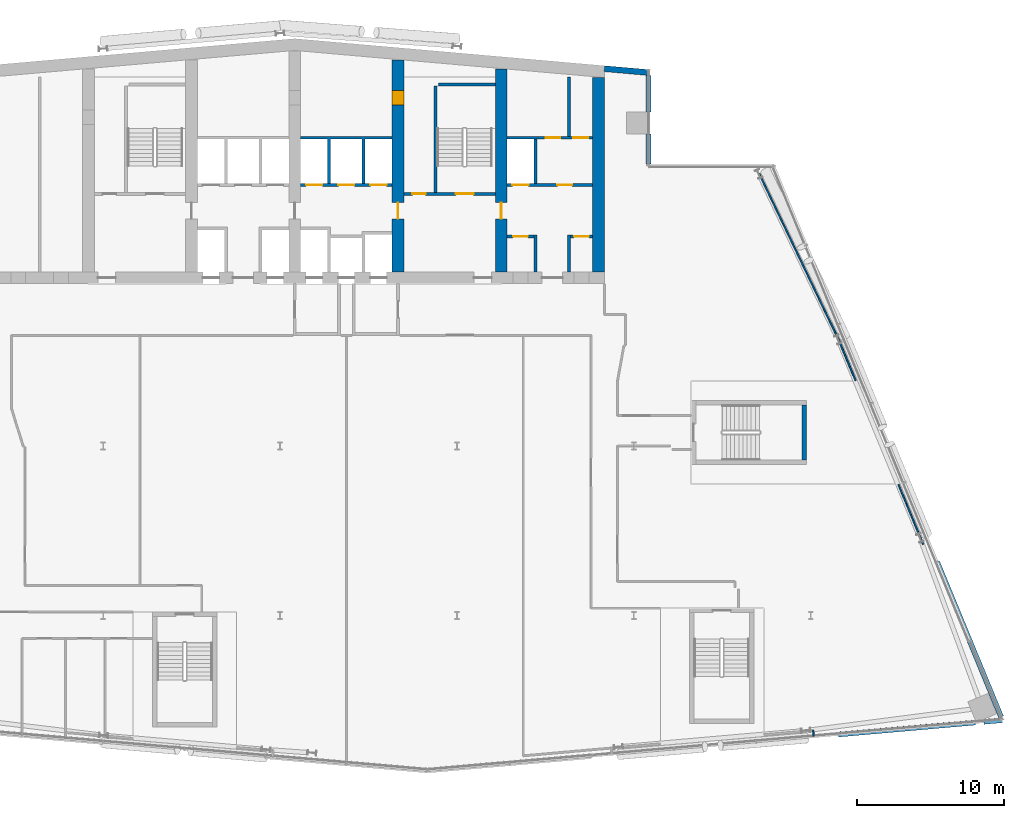
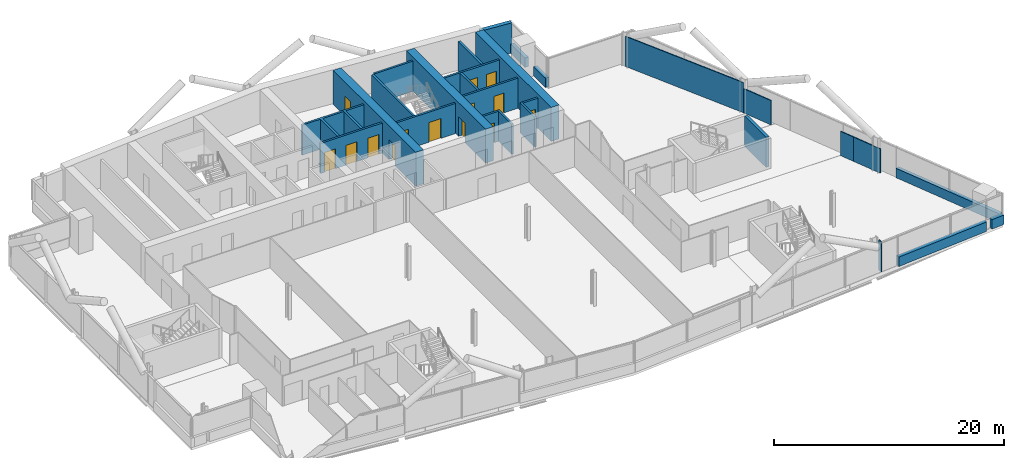
# One storey, part 19 of 26: 28 walls, 14 doors, 14 openings.
"""IFC4 building model written with IfcOpenShell, lengths in metres."""

import ifcopenshell
import ifcopenshell.guid

model = None  # the IFC model being written
_history = None  # IfcOwnerHistory: only IFC2X3 demands one
_inside = {}  # id of a spatial element -> (the spatial element, [elements in it])
_under = {}  # id of a project, library or spatial element -> (it, [spatial elements below it])
_declared = {}  # id of a project -> (the project, [libraries it declares])
_typed = {}  # id of a type object -> (the type object, [elements of that type])
_made_of = {}  # id of a material, layer set ... -> (it, [elements and type objects made of it])


def new_model(schema):
    """Start an empty IFC model of exactly this schema.

    Asked for "IFC4X3", IfcOpenShell would pick the latest addendum, in which some entities
    have other attributes; the version numbers below select the first issue.
    IFC2X3 requires an IfcOwnerHistory on every rooted entity: one is made here for all.
    """
    global model, _history
    if schema == "IFC4X3":
        model = ifcopenshell.file(schema_version=(4, 3, 0, 0))
    else:
        model = ifcopenshell.file(schema=schema)
    _inside.clear()
    _under.clear()
    _declared.clear()
    _typed.clear()
    _made_of.clear()
    _history = None
    if model.schema == "IFC2X3":
        org = make("IfcOrganization", Name="unknown")
        user = make(
            "IfcPersonAndOrganization",
            ThePerson=make("IfcPerson", FamilyName="unknown"),
            TheOrganization=org,
        )
        app = make(
            "IfcApplication",
            ApplicationDeveloper=org,
            Version="unknown",
            ApplicationFullName="unknown",
            ApplicationIdentifier="unknown",
        )
        _history = make(
            "IfcOwnerHistory",
            OwningUser=user,
            OwningApplication=app,
            ChangeAction="ADDED",
            CreationDate=0,
        )
    return model


def make(cls, **values):
    """One entity of the class cls with the attributes given. An attribute that is None is left unset."""
    return model.create_entity(
        cls, **{name: value for name, value in values.items() if value is not None}
    )


def rooted(cls, **values):
    """An entity with a GlobalId (a new one), such as an element, a storey or a relation."""
    return make(cls, GlobalId=ifcopenshell.guid.new(), OwnerHistory=_history, **values)


def si_unit(unit_type, name, prefix=None):
    """IfcSIUnit, for example si_unit("LENGTHUNIT", "METRE", prefix="MILLI")."""
    return make("IfcSIUnit", UnitType=unit_type, Prefix=prefix, Name=name)


def assignment(units):
    """IfcUnitAssignment: the units of a project."""
    return None if units is None else make("IfcUnitAssignment", Units=units)


def point(xyz):
    """IfcCartesianPoint."""
    return None if xyz is None else make("IfcCartesianPoint", Coordinates=xyz)


def direction(xyz):
    """IfcDirection."""
    return None if xyz is None else make("IfcDirection", DirectionRatios=xyz)


def frame(location, z_axis=None, x_axis=None):
    """IfcAxis2Placement3D, a coordinate frame: its origin and axes. An axis left out is left unset."""
    return make(
        "IfcAxis2Placement3D",
        Location=point(location),
        Axis=direction(z_axis),
        RefDirection=direction(x_axis),
    )


def frame_2d(location, x_axis=None):
    """IfcAxis2Placement2D, a coordinate frame in the plane: its origin and x axis."""
    return make(
        "IfcAxis2Placement2D", Location=point(location), RefDirection=direction(x_axis)
    )


def origin():
    """The frame at (0, 0, 0) with its axes left unset."""
    return frame((0.0, 0.0, 0.0))


def place(relative_to, where):
    """IfcLocalPlacement: puts the frame where relative to a parent placement (None: the world)."""
    return make(
        "IfcLocalPlacement", PlacementRelTo=relative_to, RelativePlacement=where
    )


def context(
    kind, dimensions, precision=None, world=None, true_north=None, identifier=None
):
    """IfcGeometricRepresentationContext, for example the 3D "Model" context."""
    return make(
        "IfcGeometricRepresentationContext",
        ContextIdentifier=identifier,
        ContextType=kind,
        CoordinateSpaceDimension=dimensions,
        Precision=precision,
        WorldCoordinateSystem=world,
        TrueNorth=true_north,
    )


def subcontext(parent, identifier, kind, view, scale=None):
    """IfcGeometricRepresentationSubContext, for example "Body" below "Model"."""
    return make(
        "IfcGeometricRepresentationSubContext",
        ContextIdentifier=identifier,
        ContextType=kind,
        ParentContext=parent,
        TargetScale=scale,
        TargetView=view,
    )


def project(units=None, contexts=None):
    """IfcProject with its units and contexts."""
    return rooted(
        "IfcProject",
        Name="project",
        RepresentationContexts=contexts,
        UnitsInContext=assignment(units),
    )


def spatial(cls, under=None, at=None, **own):
    """A site, building, storey or space (cls), placed at a placement, below another one or the project."""
    s = rooted(cls, ObjectPlacement=at, **own)
    if under is not None:
        _under.setdefault(under.id(), (under, []))[1].append(s)
    return s


def polyline(points):
    """IfcPolyline through the points."""
    return make("IfcPolyline", Points=[point(p) for p in points])


def profile(cls, at=None, kind="AREA", **sizes):
    """A parametric profile (cls). Its sizes go by their IFC names, for example OverallWidth=200.0."""
    return make(cls, ProfileType=kind, Position=at, **sizes)


def rectangle(**sizes):
    """IfcRectangleProfileDef."""
    return profile("IfcRectangleProfileDef", **sizes)


def outline(outer, holes=None, kind="AREA"):
    """IfcArbitraryClosedProfileDef: a profile drawn as a closed curve; with holes, ...WithVoids."""
    if holes is None:
        return make("IfcArbitraryClosedProfileDef", ProfileType=kind, OuterCurve=outer)
    return make(
        "IfcArbitraryProfileDefWithVoids",
        ProfileType=kind,
        OuterCurve=outer,
        InnerCurves=holes,
    )


def extrude(swept, where, along, depth):
    """IfcExtrudedAreaSolid: the profile swept, set in the frame where, extruded along a direction by depth."""
    return make(
        "IfcExtrudedAreaSolid",
        SweptArea=swept,
        Position=where,
        ExtrudedDirection=direction(along),
        Depth=depth,
    )


def shape(context_of_items, identifier, shape_type, items):
    """IfcShapeRepresentation: the items that make up one representation, for example the "Body"."""
    return make(
        "IfcShapeRepresentation",
        ContextOfItems=context_of_items,
        RepresentationIdentifier=identifier,
        RepresentationType=shape_type,
        Items=items,
    )


def material(Name=None, Category=None):
    """IfcMaterial."""
    return make("IfcMaterial", Name=Name, Category=Category)


def layer(
    of_material, thickness, ventilated=None, Name=None, Category=None, Priority=None
):
    """IfcMaterialLayer: one layer of a wall or slab, of a material (None: an air gap)."""
    return make(
        "IfcMaterialLayer",
        Material=of_material,
        LayerThickness=thickness,
        IsVentilated=ventilated,
        Name=Name,
        Category=Category,
        Priority=Priority,
    )


def layer_set(layers, Name=None):
    """IfcMaterialLayerSet."""
    return make("IfcMaterialLayerSet", MaterialLayers=layers, LayerSetName=Name)


def made_of(thing, what):
    """Note that an element or type object is made of a material, layer set ...; save() writes the relation."""
    if what is not None:
        _made_of.setdefault(what.id(), (what, []))[1].append(thing)
    return thing


def type_object(cls, material=None, **own):
    """A type object (cls), such as IfcWallType, which elements share."""
    return made_of(rooted(cls, **own), material)


def element(
    cls,
    number,
    at=None,
    inside=None,
    cuts=None,
    type_object=None,
    material=None,
    context=None,
    identifier="Body",
    shape_type=None,
    held_by="IfcProductDefinitionShape",
    body=None,
    shapes=None,
    **own,
):
    """One element of the class cls, such as IfcWall. Its Tag is "e" and its number.

    at: its placement. inside: the storey or other place that contains it. cuts: it is an
    opening in that element (IfcRelVoidsElement). A single representation is given by context,
    identifier, shape_type and body (its items); several are given by shapes. held_by: the class
    of the entity that holds the representations. save() writes the other relations.
    """
    e = rooted(cls, Tag="e%d" % number, ObjectPlacement=at, **own)
    if body is not None:
        shapes = [shape(context, identifier, shape_type, body)]
    if shapes is not None:
        e.Representation = make(held_by, Representations=shapes)
    if inside is not None:
        _inside.setdefault(inside.id(), (inside, []))[1].append(e)
    if cuts is not None:
        rooted(
            "IfcRelVoidsElement", RelatingBuildingElement=cuts, RelatedOpeningElement=e
        )
    if type_object is not None:
        _typed.setdefault(type_object.id(), (type_object, []))[1].append(e)
    return made_of(e, material)


def fill(opening, filler):
    """IfcRelFillsElement: the door or window that sits in an opening."""
    return rooted(
        "IfcRelFillsElement",
        RelatingOpeningElement=opening,
        RelatedBuildingElement=filler,
    )


def aggregate(whole, parts):
    """IfcRelAggregates: a whole, such as a stair, and the parts it consists of."""
    return rooted("IfcRelAggregates", RelatingObject=whole, RelatedObjects=parts)


def save(model, path):
    """Write the relations noted so far, then the file.

    IfcRelAggregates (storeys below a building ...), IfcRelContainedInSpatialStructure (elements
    in a storey), IfcRelDefinesByType, IfcRelAssociatesMaterial and IfcRelDeclares: one each for
    every whole, place, type object, material and project.
    """
    for whole, parts in _under.values():
        aggregate(whole, parts)
    for where, things in _inside.values():
        rooted(
            "IfcRelContainedInSpatialStructure",
            RelatedElements=things,
            RelatingStructure=where,
        )
    for kind, things in _typed.values():
        rooted("IfcRelDefinesByType", RelatedObjects=things, RelatingType=kind)
    for what, things in _made_of.values():
        rooted("IfcRelAssociatesMaterial", RelatedObjects=things, RelatingMaterial=what)
    for by, libraries in _declared.values():
        rooted("IfcRelDeclares", RelatingContext=by, RelatedDefinitions=libraries)
    model.write(path)


model = new_model("IFC4")

# Units and contexts
model_context = context("Model", 3, precision=1e-05, world=origin(), true_north=direction((0.0, 1.0)))
body_context = subcontext(model_context, "Body", "Model", "MODEL_VIEW")
ifc_project = project(units=[si_unit("LENGTHUNIT", "METRE"), si_unit("AREAUNIT", "SQUARE_METRE"), si_unit("VOLUMEUNIT", "CUBIC_METRE"), si_unit("PLANEANGLEUNIT", "RADIAN"), si_unit("MASSUNIT", "GRAM", prefix="KILO")], contexts=[model_context])

# Site, building, storey
site_placement = place(None, origin())
site = spatial("IfcSite", under=ifc_project, at=site_placement, CompositionType="ELEMENT")
building_placement = place(site_placement, origin())
building = spatial("IfcBuilding", under=site, at=building_placement, Name="Wharfspan Tower", CompositionType="ELEMENT")
storey_placement = place(building_placement, frame((0.0, 0.0, 184.300049)))
storey = spatial("IfcBuildingStorey", under=building, at=storey_placement, Name="L45", CompositionType="ELEMENT", Elevation=184.300049)

# Wall, opening, door
ifc_material_1 = material(Name="Calcium silicate masonry", Category="masonry")
ifc_layer_1 = layer(ifc_material_1, 0.199951)
ifc_layer_set_1 = layer_set([ifc_layer_1], Name="Calcium silicate masonry")
wall_type_1 = type_object("IfcWallType", Name="Core room wall 200", PredefinedType="PARTITIONING", material=ifc_layer_set_1)
wall_1_placement = place(storey_placement, frame((51.399902, 37.199951, 0.0), z_axis=(0.0, 0.0, 1.0), x_axis=(1.0, 0.0, 0.0)))
wall_1 = element("IfcWall", 1, at=wall_1_placement, inside=storey, type_object=wall_type_1, Name="sw:L45:FR6.1", PredefinedType="PARTITIONING", context=body_context, shape_type="SweptSolid", body=[
    extrude(rectangle(XDim=1.833496, YDim=0.199951, at=frame_2d((0.916748, 0.0))), origin(), (0.0, 0.0, 1.0), 3.199951),
])
opening_1_placement = place(wall_1_placement, frame((0.416748, 0.0, 0.0)))
opening_1 = element("IfcOpeningElement", 2, at=opening_1_placement, cuts=wall_1, Name="Opening CD45.6H1", PredefinedType="OPENING", context=body_context, shape_type="SweptSolid", body=[
    extrude(rectangle(XDim=1.0, YDim=2.100098, at=frame_2d((0.5, 1.050049))), frame((0.0, 0.109863, 0.0), z_axis=(0.0, -1.0, 0.0), x_axis=(1.0, 0.0, 0.0)), (0.0, 0.0, 1.0), 0.219971),
])
ifc_material_2 = material(Name="Steel door leaf", Category="steel")
door_type_1 = type_object("IfcDoorType", Name="Core room door 1000x2100", OperationType="SINGLE_SWING_LEFT", PredefinedType="DOOR", material=ifc_material_2)
door_1_placement = place(opening_1_placement, origin())
door_1 = element("IfcDoor", 3, at=door_1_placement, inside=storey, type_object=door_type_1, Name="d:L45:6:fh6.1", OperationType="SINGLE_SWING_RIGHT", OverallHeight=2.100098, OverallWidth=1.0, PredefinedType="DOOR", context=body_context, shape_type="SweptSolid", body=[
    extrude(rectangle(XDim=1.0, YDim=2.100098, at=frame_2d((0.5, 1.050049))), frame((0.0, 0.024902, 0.0), z_axis=(0.0, -1.0, 0.0), x_axis=(1.0, 0.0, 0.0)), (0.0, 0.0, 1.0), 0.050049),
])
fill(opening_1, door_1)

wall_2_placement = place(storey_placement, frame((55.699951, 37.199951, 0.0), z_axis=(0.0, 0.0, 1.0), x_axis=(1.0, 0.0, 0.0)))
wall_2 = element("IfcWall", 4, at=wall_2_placement, inside=storey, type_object=wall_type_1, Name="sw:L45:FR6.3", PredefinedType="PARTITIONING", context=body_context, shape_type="SweptSolid", body=[
    extrude(rectangle(XDim=1.5, YDim=0.199951, at=frame_2d((0.75, 0.0))), origin(), (0.0, 0.0, 1.0), 3.199951),
])
opening_2_placement = place(wall_2_placement, frame((0.25, 0.0, 0.0)))
opening_2 = element("IfcOpeningElement", 5, at=opening_2_placement, cuts=wall_2, Name="Opening CD45.6H3", PredefinedType="OPENING", context=body_context, shape_type="SweptSolid", body=[
    extrude(rectangle(XDim=1.0, YDim=2.100098, at=frame_2d((0.5, 1.050049))), frame((0.0, 0.109863, 0.0), z_axis=(0.0, -1.0, 0.0), x_axis=(1.0, 0.0, 0.0)), (0.0, 0.0, 1.0), 0.219971),
])
door_2_placement = place(opening_2_placement, origin())
door_2 = element("IfcDoor", 6, at=door_2_placement, inside=storey, type_object=door_type_1, Name="d:L45:6:fh6.3", OperationType="SINGLE_SWING_RIGHT", OverallHeight=2.100098, OverallWidth=1.0, PredefinedType="DOOR", context=body_context, shape_type="SweptSolid", body=[
    extrude(rectangle(XDim=1.0, YDim=2.100098, at=frame_2d((0.5, 1.050049))), frame((0.0, 0.024902, 0.0), z_axis=(0.0, -1.0, 0.0), x_axis=(1.0, 0.0, 0.0)), (0.0, 0.0, 1.0), 0.050049),
])
fill(opening_2, door_2)

# Wall
wall_3_placement = place(storey_placement, frame((55.600098, 44.0, 0.0), z_axis=(0.0, 0.0, 1.0), x_axis=(0.0, 1.0, 0.0)))
element("IfcWall", 7, at=wall_3_placement, inside=storey, type_object=wall_type_1, Name="sw:L45:RP6.1", PredefinedType="PARTITIONING", context=body_context, shape_type="SweptSolid", body=[
    extrude(rectangle(XDim=4.03418, YDim=0.199951, at=frame_2d((2.01709, 0.0))), origin(), (0.0, 0.0, 1.0), 3.199951),
])

# Wall, openings, doors
ifc_material_3 = material(Name="Concrete C60/75", Category="concrete")
ifc_layer_2 = layer(ifc_material_3, 0.800049)
ifc_layer_set_2 = layer_set([ifc_layer_2], Name="Concrete C60/75")
wall_type_2 = type_object("IfcWallType", Name="Core wall 800 C60/75", PredefinedType="SHEAR", material=ifc_layer_set_2)
wall_4_placement = place(storey_placement, frame((44.0, 34.800049, 0.0), z_axis=(0.0, 0.0, 1.0), x_axis=(0.0, 1.0, 0.0)))
wall_4 = element("IfcWall", 8, at=wall_4_placement, inside=storey, type_object=wall_type_2, Name="Core cross wall X5 L45", PredefinedType="SHEAR", context=body_context, shape_type="SweptSolid", body=[
    extrude(rectangle(XDim=14.374023, YDim=0.800049, at=frame_2d((7.187012, 0.0))), origin(), (0.0, 0.0, 1.0), 3.599854),
])
opening_3_placement = place(wall_4_placement, frame((11.312012, 0.0, 0.0)))
opening_3 = element("IfcOpeningElement", 9, at=opening_3_placement, cuts=wall_4, Name="Opening CD45.4X", PredefinedType="OPENING", context=body_context, shape_type="SweptSolid", body=[
    extrude(rectangle(XDim=1.0, YDim=2.100098, at=frame_2d((0.5, 1.050049))), frame((0.0, 0.409912, 0.0), z_axis=(0.0, -1.0, 0.0), x_axis=(1.0, 0.0, 0.0)), (0.0, 0.0, 1.0), 0.820068),
])
opening_4_placement = place(wall_4_placement, frame((3.600098, 0.0, 0.0)))
opening_4 = element("IfcOpeningElement", 10, at=opening_4_placement, cuts=wall_4, Name="Opening CC45.5", PredefinedType="OPENING", context=body_context, shape_type="SweptSolid", body=[
    extrude(rectangle(XDim=1.100098, YDim=2.100098, at=frame_2d((0.550049, 1.050049))), frame((0.0, 0.409912, 0.0), z_axis=(0.0, -1.0, 0.0), x_axis=(1.0, 0.0, 0.0)), (0.0, 0.0, 1.0), 0.820068),
])
door_type_2 = type_object("IfcDoorType", Name="Core corridor door 1100x2100", OperationType="SINGLE_SWING_LEFT", PredefinedType="DOOR", material=ifc_material_2)
door_3_placement = place(opening_4_placement, origin())
door_3 = element("IfcDoor", 11, at=door_3_placement, inside=storey, type_object=door_type_2, Name="xd:L45:5", OperationType="SINGLE_SWING_LEFT", OverallHeight=2.100098, OverallWidth=1.100098, PredefinedType="DOOR", context=body_context, shape_type="SweptSolid", body=[
    extrude(rectangle(XDim=1.100098, YDim=2.100098, at=frame_2d((0.550049, 1.050049))), frame((0.0, 0.024902, 0.0), z_axis=(0.0, -1.0, 0.0), x_axis=(1.0, 0.0, 0.0)), (0.0, 0.0, 1.0), 0.050049),
])
fill(opening_4, door_3)
door_4_placement = place(opening_3_placement, origin())
door_4 = element("IfcDoor", 12, at=door_4_placement, inside=storey, type_object=door_type_1, Name="d:L45:4:sx", OperationType="SINGLE_SWING_LEFT", OverallHeight=2.100098, OverallWidth=1.0, PredefinedType="DOOR", context=body_context, shape_type="SweptSolid", body=[
    extrude(rectangle(XDim=1.0, YDim=2.100098, at=frame_2d((0.5, 1.050049))), frame((0.0, 0.399902, 0.0), z_axis=(0.0, -1.0, 0.0), x_axis=(1.0, 0.0, 0.0)), (0.0, 0.0, 1.0), 0.799561),
])
fill(opening_3, door_4)

# Wall, opening, door
wall_5_placement = place(storey_placement, frame((51.0, 34.800049, 0.0), z_axis=(0.0, 0.0, 1.0), x_axis=(0.0, 1.0, 0.0)))
wall_5 = element("IfcWall", 13, at=wall_5_placement, inside=storey, type_object=wall_type_2, Name="Core cross wall X6 L45", PredefinedType="SHEAR", context=body_context, shape_type="SweptSolid", body=[
    extrude(rectangle(XDim=13.761719, YDim=0.800049, at=frame_2d((6.880859, 0.0))), origin(), (0.0, 0.0, 1.0), 3.599854),
])
opening_5_placement = place(wall_5_placement, frame((3.600098, 0.0, 0.0)))
opening_5 = element("IfcOpeningElement", 14, at=opening_5_placement, cuts=wall_5, Name="Opening CC45.6", PredefinedType="OPENING", context=body_context, shape_type="SweptSolid", body=[
    extrude(rectangle(XDim=1.100098, YDim=2.100098, at=frame_2d((0.550049, 1.050049))), frame((0.0, 0.409912, 0.0), z_axis=(0.0, -1.0, 0.0), x_axis=(1.0, 0.0, 0.0)), (0.0, 0.0, 1.0), 0.820068),
])
door_5_placement = place(opening_5_placement, origin())
door_5 = element("IfcDoor", 15, at=door_5_placement, inside=storey, type_object=door_type_2, Name="xd:L45:6", OperationType="SINGLE_SWING_RIGHT", OverallHeight=2.100098, OverallWidth=1.100098, PredefinedType="DOOR", context=body_context, shape_type="SweptSolid", body=[
    extrude(rectangle(XDim=1.100098, YDim=2.100098, at=frame_2d((0.550049, 1.050049))), frame((0.0, 0.024902, 0.0), z_axis=(0.0, -1.0, 0.0), x_axis=(1.0, 0.0, 0.0)), (0.0, 0.0, 1.0), 0.050049),
])
fill(opening_5, door_5)

# Wall
wall_6_placement = place(storey_placement, frame((57.600098, 34.800049, 0.0), z_axis=(0.0, 0.0, 1.0), x_axis=(0.0, 1.0, 0.0)))
element("IfcWall", 16, at=wall_6_placement, inside=storey, type_object=wall_type_2, Name="Core cross wall EW1 L45", PredefinedType="SHEAR", context=body_context, shape_type="SweptSolid", body=[
    extrude(rectangle(XDim=13.184326, YDim=0.800049, at=frame_2d((6.592285, 0.0))), origin(), (0.0, 0.0, 1.0), 3.599854),
])

# Wall, openings, doors
ifc_material_4 = material(Name="Concrete C30/37", Category="concrete")
ifc_layer_3 = layer(ifc_material_4, 0.199951)
ifc_layer_set_3 = layer_set([ifc_layer_3], Name="Concrete C30/37")
wall_type_3 = type_object("IfcWallType", Name="Lift shaft wall 200", PredefinedType="PARTITIONING", material=ifc_layer_set_3)
wall_7_placement = place(storey_placement, frame((37.399902, 40.699951, 0.0), z_axis=(0.0, 0.0, 1.0), x_axis=(1.0, 0.0, 0.0)))
wall_7 = element("IfcWall", 17, at=wall_7_placement, inside=storey, type_object=wall_type_3, Name="sw:L45:RF4", PredefinedType="PARTITIONING", context=body_context, shape_type="SweptSolid", body=[
    extrude(rectangle(XDim=6.200195, YDim=0.199951, at=frame_2d((3.100098, 0.0))), origin(), (0.0, 0.0, 1.0), 3.199951),
])
opening_6_placement = place(wall_7_placement, frame((0.366699, 0.0, 0.0)))
opening_6 = element("IfcOpeningElement", 18, at=opening_6_placement, cuts=wall_7, Name="Opening LD.LB4.L45", PredefinedType="OPENING", context=body_context, shape_type="SweptSolid", body=[
    extrude(rectangle(XDim=1.100098, YDim=2.100098, at=frame_2d((0.550049, 1.050049))), frame((0.0, 0.109863, 0.0), z_axis=(0.0, -1.0, 0.0), x_axis=(1.0, 0.0, 0.0)), (0.0, 0.0, 1.0), 0.219971),
])
opening_7_placement = place(wall_7_placement, frame((2.550049, 0.0, 0.0)))
opening_7 = element("IfcOpeningElement", 19, at=opening_7_placement, cuts=wall_7, Name="Opening LD.LB5.L45", PredefinedType="OPENING", context=body_context, shape_type="SweptSolid", body=[
    extrude(rectangle(XDim=1.100098, YDim=2.100098, at=frame_2d((0.550049, 1.050049))), frame((0.0, 0.109863, 0.0), z_axis=(0.0, -1.0, 0.0), x_axis=(1.0, 0.0, 0.0)), (0.0, 0.0, 1.0), 0.219971),
])
opening_8_placement = place(wall_7_placement, frame((4.733398, 0.0, 0.0)))
opening_8 = element("IfcOpeningElement", 20, at=opening_8_placement, cuts=wall_7, Name="Opening LD.LB6.L45", PredefinedType="OPENING", context=body_context, shape_type="SweptSolid", body=[
    extrude(rectangle(XDim=1.100098, YDim=2.100098, at=frame_2d((0.550049, 1.050049))), frame((0.0, 0.109863, 0.0), z_axis=(0.0, -1.0, 0.0), x_axis=(1.0, 0.0, 0.0)), (0.0, 0.0, 1.0), 0.219971),
])
ifc_material_5 = material(Name="Stainless steel", Category="steel")
door_type_3 = type_object("IfcDoorType", Name="Lift landing door 1100x2100", OperationType="DOUBLE_DOOR_SLIDING", PredefinedType="DOOR", material=ifc_material_5)
door_6_placement = place(opening_6_placement, origin())
door_6 = element("IfcDoor", 21, at=door_6_placement, inside=storey, type_object=door_type_3, Name="Landing door LB4 L45", OperationType="DOUBLE_DOOR_SLIDING", OverallHeight=2.100098, OverallWidth=1.100098, PredefinedType="DOOR", context=body_context, shape_type="SweptSolid", body=[
    extrude(rectangle(XDim=1.100098, YDim=2.100098, at=frame_2d((0.550049, 1.050049))), frame((0.0, 0.024902, 0.0), z_axis=(0.0, -1.0, 0.0), x_axis=(1.0, 0.0, 0.0)), (0.0, 0.0, 1.0), 0.050049),
])
fill(opening_6, door_6)
door_7_placement = place(opening_7_placement, origin())
door_7 = element("IfcDoor", 22, at=door_7_placement, inside=storey, type_object=door_type_3, Name="Landing door LB5 L45", OperationType="DOUBLE_DOOR_SLIDING", OverallHeight=2.100098, OverallWidth=1.100098, PredefinedType="DOOR", context=body_context, shape_type="SweptSolid", body=[
    extrude(rectangle(XDim=1.100098, YDim=2.100098, at=frame_2d((0.550049, 1.050049))), frame((0.0, 0.024902, 0.0), z_axis=(0.0, -1.0, 0.0), x_axis=(1.0, 0.0, 0.0)), (0.0, 0.0, 1.0), 0.050049),
])
fill(opening_7, door_7)
door_8_placement = place(opening_8_placement, origin())
door_8 = element("IfcDoor", 23, at=door_8_placement, inside=storey, type_object=door_type_3, Name="Landing door LB6 L45", OperationType="DOUBLE_DOOR_SLIDING", OverallHeight=2.100098, OverallWidth=1.100098, PredefinedType="DOOR", context=body_context, shape_type="SweptSolid", body=[
    extrude(rectangle(XDim=1.100098, YDim=2.100098, at=frame_2d((0.550049, 1.050049))), frame((0.0, 0.024902, 0.0), z_axis=(0.0, -1.0, 0.0), x_axis=(1.0, 0.0, 0.0)), (0.0, 0.0, 1.0), 0.050049),
])
fill(opening_8, door_8)

# Wall
wall_8_placement = place(storey_placement, frame((0.0, 0.0, -0.000244)))
element("IfcWall", 24, at=wall_8_placement, inside=storey, type_object=wall_type_3, Name="sw:L45:RM4.0", PredefinedType="PARTITIONING", context=body_context, shape_type="SweptSolid", body=[
    extrude(outline(polyline([(39.43335, 40.800049), (39.233398, 40.800049), (39.233398, 43.800049), (37.399902, 43.800049), (37.399902, 44.0), (43.600098, 44.0), (43.600098, 43.800049), (41.766602, 43.800049), (41.766602, 40.800049), (41.56665, 40.800049), (41.56665, 43.800049), (39.43335, 43.800049), (39.43335, 40.800049)])), origin(), (0.0, 0.0, 1.0), 3.200195),
])

# Wall, openings, doors
wall_9_placement = place(storey_placement, frame((51.399902, 40.699951, 0.0), z_axis=(0.0, 0.0, 1.0), x_axis=(1.0, 0.0, 0.0)))
wall_9 = element("IfcWall", 25, at=wall_9_placement, inside=storey, type_object=wall_type_3, Name="sw:L45:RF6", PredefinedType="PARTITIONING", context=body_context, shape_type="SweptSolid", body=[
    extrude(rectangle(XDim=5.800049, YDim=0.199951, at=frame_2d((2.899902, 0.0))), origin(), (0.0, 0.0, 1.0), 3.199951),
])
opening_9_placement = place(wall_9_placement, frame((0.366699, 0.0, 0.0)))
opening_9 = element("IfcOpeningElement", 26, at=opening_9_placement, cuts=wall_9, Name="Opening LD.LB8.L45", PredefinedType="OPENING", context=body_context, shape_type="SweptSolid", body=[
    extrude(rectangle(XDim=1.100098, YDim=2.100098, at=frame_2d((0.550049, 1.050049))), frame((0.0, 0.109863, 0.0), z_axis=(0.0, -1.0, 0.0), x_axis=(1.0, 0.0, 0.0)), (0.0, 0.0, 1.0), 0.219971),
])
opening_10_placement = place(wall_9_placement, frame((3.416748, 0.0, 0.0)))
opening_10 = element("IfcOpeningElement", 27, at=opening_10_placement, cuts=wall_9, Name="Opening CD45.6R2", PredefinedType="OPENING", context=body_context, shape_type="SweptSolid", body=[
    extrude(rectangle(XDim=1.0, YDim=2.100098, at=frame_2d((0.5, 1.050049))), frame((0.0, 0.109863, 0.0), z_axis=(0.0, -1.0, 0.0), x_axis=(1.0, 0.0, 0.0)), (0.0, 0.0, 1.0), 0.219971),
])
door_9_placement = place(opening_10_placement, origin())
door_9 = element("IfcDoor", 28, at=door_9_placement, inside=storey, type_object=door_type_1, Name="d:L45:6:rd6.2", OperationType="SINGLE_SWING_RIGHT", OverallHeight=2.100098, OverallWidth=1.0, PredefinedType="DOOR", context=body_context, shape_type="SweptSolid", body=[
    extrude(rectangle(XDim=1.0, YDim=2.100098, at=frame_2d((0.5, 1.050049))), frame((0.0, 0.024902, 0.0), z_axis=(0.0, -1.0, 0.0), x_axis=(1.0, 0.0, 0.0)), (0.0, 0.0, 1.0), 0.050049),
])
fill(opening_10, door_9)
door_10_placement = place(opening_9_placement, origin())
door_10 = element("IfcDoor", 29, at=door_10_placement, inside=storey, type_object=door_type_3, Name="Landing door LB8 L45", OperationType="DOUBLE_DOOR_SLIDING", OverallHeight=2.100098, OverallWidth=1.100098, PredefinedType="DOOR", context=body_context, shape_type="SweptSolid", body=[
    extrude(rectangle(XDim=1.100098, YDim=2.100098, at=frame_2d((0.550049, 1.050049))), frame((0.0, 0.024902, 0.0), z_axis=(0.0, -1.0, 0.0), x_axis=(1.0, 0.0, 0.0)), (0.0, 0.0, 1.0), 0.050049),
])
fill(opening_9, door_10)

wall_10_placement = place(storey_placement, frame((51.399902, 43.899902, 0.0), z_axis=(0.0, 0.0, 1.0), x_axis=(1.0, 0.0, 0.0)))
wall_10 = element("IfcWall", 30, at=wall_10_placement, inside=storey, type_object=wall_type_3, Name="sw:L45:RR6", PredefinedType="PARTITIONING", context=body_context, shape_type="SweptSolid", body=[
    extrude(rectangle(XDim=5.800049, YDim=0.199951, at=frame_2d((2.899902, 0.0))), origin(), (0.0, 0.0, 1.0), 3.199951),
])
opening_11_placement = place(wall_10_placement, frame((2.616699, 0.0, 0.0)))
opening_11 = element("IfcOpeningElement", 31, at=opening_11_placement, cuts=wall_10, Name="Opening CD45.6S2", PredefinedType="OPENING", context=body_context, shape_type="SweptSolid", body=[
    extrude(rectangle(XDim=1.0, YDim=2.100098, at=frame_2d((0.5, 1.050049))), frame((0.0, 0.109863, 0.0), z_axis=(0.0, -1.0, 0.0), x_axis=(1.0, 0.0, 0.0)), (0.0, 0.0, 1.0), 0.219971),
])
opening_12_placement = place(wall_10_placement, frame((4.5, 0.0, 0.0)))
opening_12 = element("IfcOpeningElement", 32, at=opening_12_placement, cuts=wall_10, Name="Opening CD45.6S2a", PredefinedType="OPENING", context=body_context, shape_type="SweptSolid", body=[
    extrude(rectangle(XDim=1.0, YDim=2.100098, at=frame_2d((0.5, 1.050049))), frame((0.0, 0.109863, 0.0), z_axis=(0.0, -1.0, 0.0), x_axis=(1.0, 0.0, 0.0)), (0.0, 0.0, 1.0), 0.219971),
])
door_11_placement = place(opening_11_placement, origin())
door_11 = element("IfcDoor", 33, at=door_11_placement, inside=storey, type_object=door_type_1, Name="d:L45:6:rs6.2", OperationType="SINGLE_SWING_LEFT", OverallHeight=2.100098, OverallWidth=1.0, PredefinedType="DOOR", context=body_context, shape_type="SweptSolid", body=[
    extrude(rectangle(XDim=1.0, YDim=2.100098, at=frame_2d((0.5, 1.050049))), frame((0.0, 0.024902, 0.0), z_axis=(0.0, -1.0, 0.0), x_axis=(1.0, 0.0, 0.0)), (0.0, 0.0, 1.0), 0.050049),
])
fill(opening_11, door_11)
door_12_placement = place(opening_12_placement, origin())
door_12 = element("IfcDoor", 34, at=door_12_placement, inside=storey, type_object=door_type_1, Name="d:L45:6:rs6.2a", OperationType="SINGLE_SWING_LEFT", OverallHeight=2.100098, OverallWidth=1.0, PredefinedType="DOOR", context=body_context, shape_type="SweptSolid", body=[
    extrude(rectangle(XDim=1.0, YDim=2.100098, at=frame_2d((0.5, 1.050049))), frame((0.0, 0.024902, 0.0), z_axis=(0.0, -1.0, 0.0), x_axis=(1.0, 0.0, 0.0)), (0.0, 0.0, 1.0), 0.050049),
])
fill(opening_12, door_12)

# Walls
wall_11_placement = place(storey_placement, frame((0.0, 0.0, -0.000244)))
element("IfcWall", 35, at=wall_11_placement, inside=storey, type_object=wall_type_3, Name="sw:L45:FM6.0", PredefinedType="PARTITIONING", context=body_context, shape_type="SweptSolid", body=[
    extrude(outline(polyline([(53.233398, 34.800049), (53.233398, 37.300049), (53.43335, 37.300049), (53.43335, 34.800049), (53.233398, 34.800049)])), origin(), (0.0, 0.0, 1.0), 3.200195),
])
wall_12_placement = place(storey_placement, frame((0.0, 0.0, -0.000244)))
element("IfcWall", 36, at=wall_12_placement, inside=storey, type_object=wall_type_3, Name="sw:L45:FM6.1", PredefinedType="PARTITIONING", context=body_context, shape_type="SweptSolid", body=[
    extrude(outline(polyline([(55.5, 34.800049), (55.5, 37.300049), (55.699951, 37.300049), (55.699951, 34.800049), (55.5, 34.800049)])), origin(), (0.0, 0.0, 1.0), 3.200195),
])
wall_13_placement = place(storey_placement, frame((0.0, 0.0, -0.000244)))
element("IfcWall", 37, at=wall_13_placement, inside=storey, type_object=wall_type_3, Name="sw:L45:RM6.0", PredefinedType="PARTITIONING", context=body_context, shape_type="SweptSolid", body=[
    extrude(outline(polyline([(53.43335, 40.800049), (53.43335, 43.800049), (53.233398, 43.800049), (53.233398, 40.800049), (53.43335, 40.800049)])), origin(), (0.0, 0.0, 1.0), 3.200195),
])
ifc_material_6 = material(Name="Gypsum board on steel studs", Category="steel")
ifc_layer_4 = layer(ifc_material_6, 0.100098)
ifc_layer_set_4 = layer_set([ifc_layer_4], Name="Gypsum board on steel studs")
wall_type_4 = type_object("IfcWallType", Name="Partition 100", PredefinedType="PARTITIONING", material=ifc_layer_set_4)
wall_14_placement = place(storey_placement, frame((72.198242, 3.300049, 0.0), z_axis=(0.0, 0.0, 1.0), x_axis=(-0.083759, 0.996486, 0.0)))
element("IfcWall", 38, at=wall_14_placement, inside=storey, type_object=wall_type_4, Name="Partition L45.w047", PredefinedType="PARTITIONING", context=body_context, shape_type="SweptSolid", body=[
    extrude(rectangle(XDim=0.396484, YDim=0.100098, at=frame_2d((0.198242, 0.0))), origin(), (0.0, 0.0, 1.0), 3.199951),
])
wall_15_placement = place(storey_placement, frame((73.88501, 30.22998, 0.0), z_axis=(0.0, 0.0, 1.0), x_axis=(-0.432221, 0.901772, 0.0)))
element("IfcWall", 39, at=wall_15_placement, inside=storey, type_object=wall_type_4, Name="Partition L45.w048", PredefinedType="PARTITIONING", context=body_context, shape_type="SweptSolid", body=[
    extrude(rectangle(XDim=12.458984, YDim=0.100098, at=frame_2d((6.229492, 0.0))), origin(), (0.0, 0.0, 1.0), 3.199951),
])
wall_16_placement = place(storey_placement, frame((75.046631, 27.419922, 0.0), z_axis=(0.0, 0.0, 1.0), x_axis=(-0.382024, 0.924148, 0.0)))
element("IfcWall", 40, at=wall_16_placement, inside=storey, type_object=wall_type_4, Name="Partition L45.w049", PredefinedType="PARTITIONING", context=body_context, shape_type="SweptSolid", body=[
    extrude(rectangle(XDim=3.040771, YDim=0.100098, at=frame_2d((1.520508, 0.0))), origin(), (0.0, 0.0, 1.0), 2.579834),
])
wall_17_placement = place(storey_placement, frame((78.5, 19.050049, 0.0), z_axis=(0.0, 0.0, 1.0), x_axis=(-0.380332, 0.924852, 0.0)))
element("IfcWall", 41, at=wall_17_placement, inside=storey, type_object=wall_type_4, Name="Partition L45.w050", PredefinedType="PARTITIONING", context=body_context, shape_type="SweptSolid", body=[
    extrude(rectangle(XDim=1.437988, YDim=0.100098, at=frame_2d((0.718994, 0.0))), origin(), (0.0, 0.0, 1.0), 2.579834),
])
wall_18_placement = place(storey_placement, frame((79.629883, 16.310059, 0.0), z_axis=(0.0, 0.0, 1.0), x_axis=(-0.381225, 0.924479, 0.0)))
element("IfcWall", 42, at=wall_18_placement, inside=storey, type_object=wall_type_4, Name="Partition L45.w051", PredefinedType="PARTITIONING", context=body_context, shape_type="SweptSolid", body=[
    extrude(rectangle(XDim=2.963867, YDim=0.100098, at=frame_2d((1.481934, 0.0))), origin(), (0.0, 0.0, 1.0), 2.579834),
])
ifc_material_7 = material(Name="Concrete C40/50", Category="concrete")
ifc_layer_5 = layer(ifc_material_7, 0.350098)
ifc_layer_set_5 = layer_set([ifc_layer_5], Name="Concrete C40/50")
wall_type_5 = type_object("IfcWallType", Name="SPANDREL EXPOSED CONCRETE 350", PredefinedType="SOLIDWALL", material=ifc_layer_set_5)
wall_19_placement = place(storey_placement, frame((73.887451, 3.422852, 0.0), z_axis=(0.0, 0.0, 1.0), x_axis=(0.996197, 0.087145, 0.0)))
element("IfcWall", 43, at=wall_19_placement, inside=storey, type_object=wall_type_5, Name="Spandrel upstand L45 S2 2", PredefinedType="SOLIDWALL", context=body_context, shape_type="SweptSolid", body=[
    extrude(rectangle(XDim=9.323486, YDim=0.350098, at=frame_2d((4.661621, 0.0))), origin(), (0.0, 0.0, 1.0), 1.0),
])
wall_20_placement = place(storey_placement, frame((83.744629, 4.285156, 0.0), z_axis=(0.0, 0.0, 1.0), x_axis=(0.996198, 0.087148, 0.0)))
element("IfcWall", 44, at=wall_20_placement, inside=storey, type_object=wall_type_5, Name="Spandrel upstand L45 S2 3", PredefinedType="SOLIDWALL", context=body_context, shape_type="SweptSolid", body=[
    extrude(rectangle(XDim=1.260742, YDim=0.350098, at=frame_2d((0.630371, 0.0))), origin(), (0.0, 0.0, 1.0), 1.0),
])
wall_21_placement = place(storey_placement, frame((84.91626, 4.615967, 0.0), z_axis=(0.0, 0.0, 1.0), x_axis=(-0.381598, 0.924328, 0.0)))
element("IfcWall", 45, at=wall_21_placement, inside=storey, type_object=wall_type_5, Name="Spandrel upstand L45 E", PredefinedType="SOLIDWALL", context=body_context, shape_type="SweptSolid", body=[
    extrude(rectangle(XDim=11.360596, YDim=0.350098, at=frame_2d((5.680176, 0.0))), origin(), (0.0, 0.0, 1.0), 1.0),
])
wall_22_placement = place(storey_placement, frame((61.004883, 42.120117, 0.0), z_axis=(0.0, 0.0, 1.0), x_axis=(0.0, 1.0, 0.0)))
element("IfcWall", 46, at=wall_22_placement, inside=storey, type_object=wall_type_5, Name="Spandrel upstand L45 NRE-V", PredefinedType="SOLIDWALL", context=body_context, shape_type="SweptSolid", body=[
    extrude(rectangle(XDim=2.029785, YDim=0.350098, at=frame_2d((1.014893, 0.0))), origin(), (0.0, 0.0, 1.0), 1.0),
])
wall_23_placement = place(storey_placement, frame((61.004883, 45.649902, 0.0), z_axis=(0.0, 0.0, 1.0), x_axis=(0.0, 1.0, 0.0)))
element("IfcWall", 47, at=wall_23_placement, inside=storey, type_object=wall_type_5, Name="Spandrel upstand L45 NRE-V 2", PredefinedType="SOLIDWALL", context=body_context, shape_type="SweptSolid", body=[
    extrude(rectangle(XDim=2.476562, YDim=0.350098, at=frame_2d((1.238281, 0.0))), origin(), (0.0, 0.0, 1.0), 1.0),
])
ifc_layer_6 = layer(ifc_material_7, 0.300049)
ifc_layer_set_6 = layer_set([ifc_layer_6], Name="Concrete C40/50")
wall_type_6 = type_object("IfcWallType", Name="Stair core wall 300", PredefinedType="SHEAR", material=ifc_layer_set_6)
wall_24_placement = place(storey_placement, frame((71.554688, 22.024902, 0.0), z_axis=(0.0, 0.0, 1.0), x_axis=(0.0, 1.0, 0.0)))
element("IfcWall", 48, at=wall_24_placement, inside=storey, type_object=wall_type_6, Name="ST6 stair enclosure wall L45", PredefinedType="SHEAR", context=body_context, shape_type="SweptSolid", body=[
    extrude(rectangle(XDim=3.75, YDim=0.300049, at=frame_2d((1.875, 0.0))), origin(), (0.0, 0.0, 1.0), 3.199951),
])

# Wall, openings, doors
ifc_layer_7 = layer(ifc_material_7, 0.199951)
ifc_layer_set_7 = layer_set([ifc_layer_7], Name="Concrete C40/50")
wall_type_7 = type_object("IfcWallType", Name="Stair shaft wall 200", PredefinedType="SHEAR", material=ifc_layer_set_7)
wall_25_placement = place(storey_placement, frame((44.399902, 40.100098, 0.0), z_axis=(0.0, 0.0, 1.0), x_axis=(1.0, 0.0, 0.0)))
wall_25 = element("IfcWall", 49, at=wall_25_placement, inside=storey, type_object=wall_type_7, Name="ST2 stair enclosure wall L45", PredefinedType="SHEAR", context=body_context, shape_type="SweptSolid", body=[
    extrude(rectangle(XDim=6.200195, YDim=0.199951, at=frame_2d((3.100098, 0.0))), origin(), (0.0, 0.0, 1.0), 3.199951),
])
opening_13_placement = place(wall_25_placement, frame((3.524902, 0.0, 0.0)))
opening_13 = element("IfcOpeningElement", 50, at=opening_13_placement, cuts=wall_25, Name="Opening SD5.L45", PredefinedType="OPENING", context=body_context, shape_type="SweptSolid", body=[
    extrude(rectangle(XDim=1.199951, YDim=2.100098, at=frame_2d((0.600098, 1.050049))), frame((0.0, 0.109863, 0.0), z_axis=(0.0, -1.0, 0.0), x_axis=(1.0, 0.0, 0.0)), (0.0, 0.0, 1.0), 0.219971),
])
opening_14_placement = place(wall_25_placement, frame((0.574951, 0.0, 0.0)))
opening_14 = element("IfcOpeningElement", 51, at=opening_14_placement, cuts=wall_25, Name="Opening CD45.5R", PredefinedType="OPENING", context=body_context, shape_type="SweptSolid", body=[
    extrude(rectangle(XDim=0.899902, YDim=2.100098, at=frame_2d((0.449951, 1.050049))), frame((0.0, 0.109863, 0.0), z_axis=(0.0, -1.0, 0.0), x_axis=(1.0, 0.0, 0.0)), (0.0, 0.0, 1.0), 0.219971),
])
door_13_placement = place(opening_14_placement, origin())
door_13 = element("IfcDoor", 52, at=door_13_placement, inside=storey, type_object=door_type_1, Name="rk:L45:5", OperationType="SINGLE_SWING_LEFT", OverallHeight=2.100098, OverallWidth=0.899902, PredefinedType="DOOR", context=body_context, shape_type="SweptSolid", body=[
    extrude(rectangle(XDim=0.899902, YDim=2.100098, at=frame_2d((0.449951, 1.050049))), frame((0.0, 0.024902, 0.0), z_axis=(0.0, -1.0, 0.0), x_axis=(1.0, 0.0, 0.0)), (0.0, 0.0, 1.0), 0.050049),
])
fill(opening_14, door_13)
door_type_4 = type_object("IfcDoorType", Name="Stair door 1200x2100", OperationType="SINGLE_SWING_LEFT", PredefinedType="DOOR", material=ifc_material_2)
door_14_placement = place(opening_13_placement, origin())
door_14 = element("IfcDoor", 53, at=door_14_placement, inside=storey, type_object=door_type_4, Name="sd:L45:5", OperationType="SINGLE_SWING_RIGHT", OverallHeight=2.100098, OverallWidth=1.199951, PredefinedType="DOOR", context=body_context, shape_type="SweptSolid", body=[
    extrude(rectangle(XDim=1.199951, YDim=2.100098, at=frame_2d((0.600098, 1.050049))), frame((0.0, 0.024902, 0.0), z_axis=(0.0, -1.0, 0.0), x_axis=(1.0, 0.0, 0.0)), (0.0, 0.0, 1.0), 0.050049),
])
fill(opening_13, door_14)

# Walls
wall_26_placement = place(storey_placement, frame((46.550049, 40.199951, 0.0), z_axis=(0.0, 0.0, 1.0), x_axis=(0.0, 1.0, 0.0)))
element("IfcWall", 54, at=wall_26_placement, inside=storey, type_object=wall_type_7, Name="ST2 stair enclosure wall L45", PredefinedType="SHEAR", context=body_context, shape_type="SweptSolid", body=[
    extrude(rectangle(XDim=7.199951, YDim=0.199951, at=frame_2d((3.600098, 0.0))), origin(), (0.0, 0.0, 1.0), 3.199951),
])
wall_27_placement = place(storey_placement, frame((46.75, 47.5, 0.0), z_axis=(0.0, 0.0, 1.0), x_axis=(1.0, 0.0, 0.0)))
element("IfcWall", 55, at=wall_27_placement, inside=storey, type_object=wall_type_7, Name="ST2 stair enclosure wall L45", PredefinedType="SHEAR", context=body_context, shape_type="SweptSolid", body=[
    extrude(rectangle(XDim=3.850098, YDim=0.199951, at=frame_2d((1.925049, 0.0))), origin(), (0.0, 0.0, 1.0), 3.199951),
])
ifc_layer_8 = layer(ifc_material_7, 0.399902)
ifc_layer_set_8 = layer_set([ifc_layer_8], Name="Concrete C40/50")
wall_type_8 = type_object("IfcWallType", Name="WALL EXPOSED CONCRETE 400", PredefinedType="SOLIDWALL", material=ifc_layer_set_8)
wall_28_placement = place(storey_placement, frame((60.982666, 48.325684, 0.0), z_axis=(0.0, 0.0, 1.0), x_axis=(-0.996194, 0.087168, 0.0)))
element("IfcWall", 56, at=wall_28_placement, inside=storey, type_object=wall_type_8, Name="Rear wall N2", PredefinedType="SOLIDWALL", context=body_context, shape_type="SweptSolid", body=[
    extrude(rectangle(XDim=2.994141, YDim=0.399902, at=frame_2d((1.49707, 0.0))), origin(), (0.0, 0.0, 1.0), 3.199951),
])

save(model, "model.ifc")
